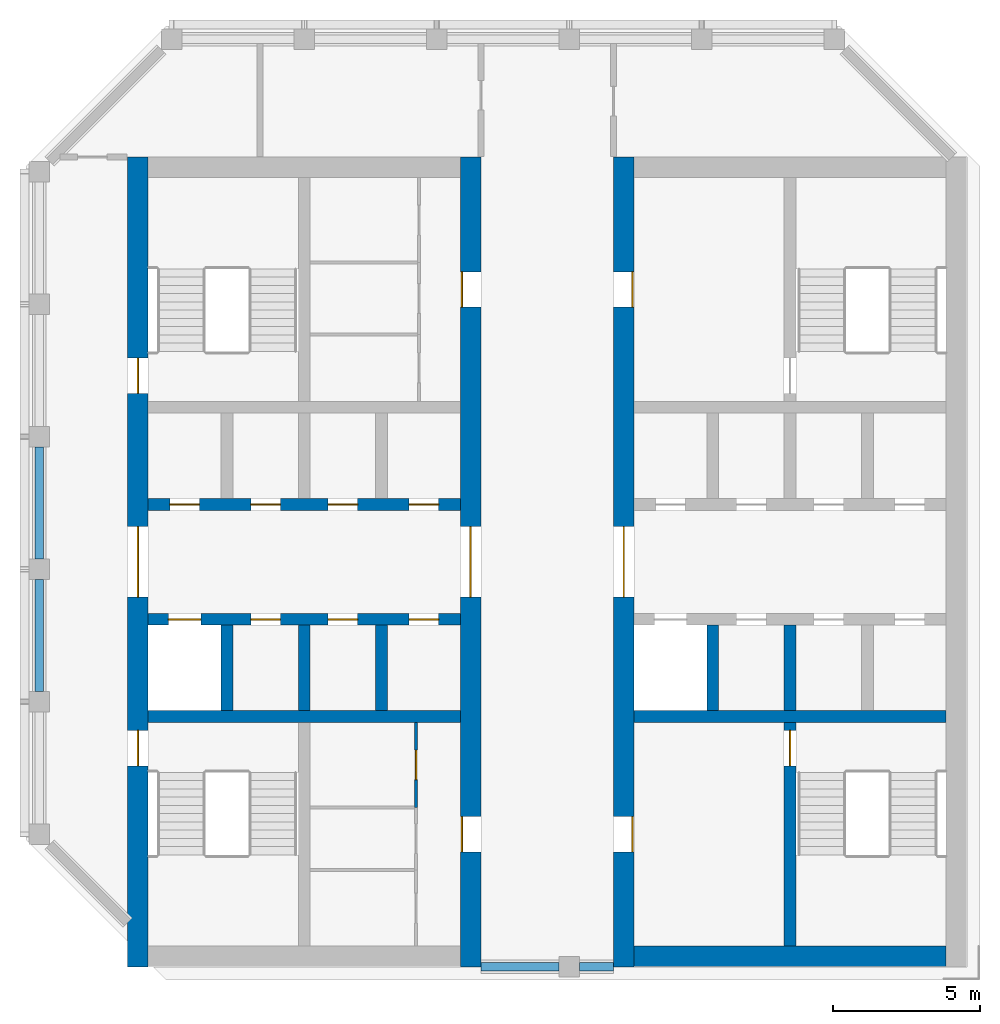
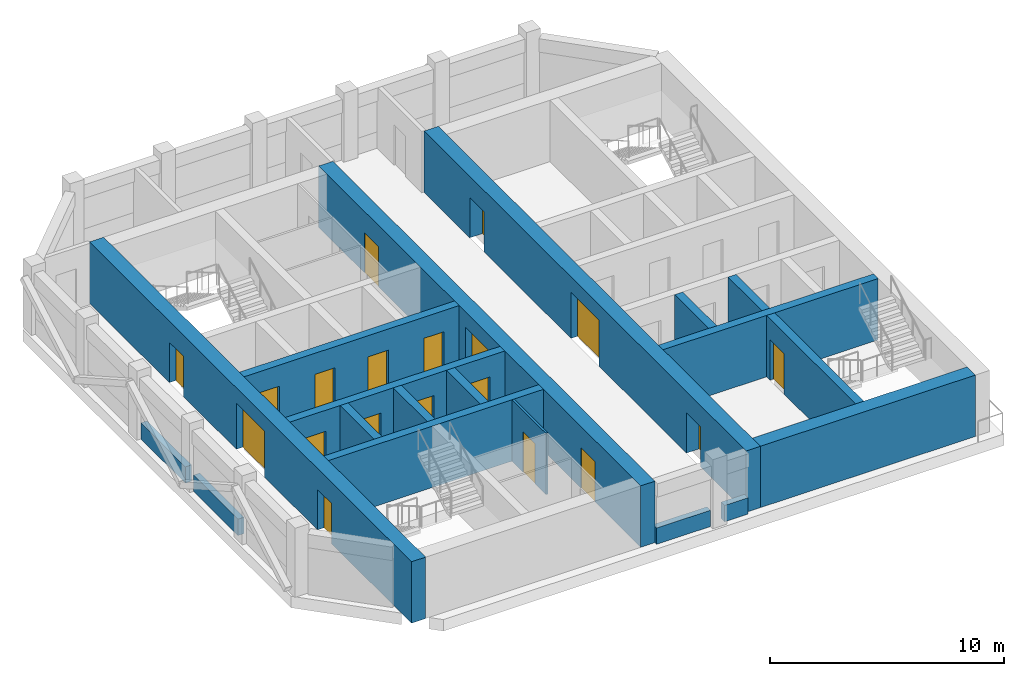
# One storey, part 2 of 5: 19 doors, 19 walls, 19 openings.
"""IFC4 building model written with IfcOpenShell, lengths in metres."""

from ifc_helpers import new_model, si_unit, direction, frame, frame_2d, origin, place, context, subcontext, project, spatial, rectangle, extrude, material, layer, layer_set, type_object, element, fill, save


model = new_model("IFC4")

# Units and contexts
model_context = context("Model", 3, precision=1e-05, world=origin(), true_north=direction((0.0, 1.0)))
body_context = subcontext(model_context, "Body", "Model", "MODEL_VIEW")
ifc_project = project(units=[si_unit("LENGTHUNIT", "METRE"), si_unit("AREAUNIT", "SQUARE_METRE"), si_unit("VOLUMEUNIT", "CUBIC_METRE"), si_unit("PLANEANGLEUNIT", "RADIAN"), si_unit("MASSUNIT", "GRAM", prefix="KILO")], contexts=[model_context])

# Site, building, storey
site_placement = place(None, origin())
site = spatial("IfcSite", under=ifc_project, at=site_placement, CompositionType="ELEMENT")
building_placement = place(site_placement, origin())
building = spatial("IfcBuilding", under=site, at=building_placement, Name="Corbel Stack Research Tower", CompositionType="ELEMENT")
storey_placement = place(building_placement, frame((0.0, 0.0, 326.199951171875)))
storey = spatial("IfcBuildingStorey", under=building, at=storey_placement, Name="L73", CompositionType="ELEMENT", Elevation=326.199951171875)

# Wall
ifc_material_1 = material(Name="Concrete C60/75", Category="concrete")
ifc_layer_1 = layer(ifc_material_1, 0.39990234375)
ifc_layer_set_1 = layer_set([ifc_layer_1], Name="Concrete C60/75")
wall_type_1 = type_object("IfcWallType", Name="CW-400-60", PredefinedType="SHEAR", material=ifc_layer_set_1)
wall_1_placement = place(storey_placement, frame((-9.800048828125, -0.5, 0.0), z_axis=(0.0, 0.0, 1.0), x_axis=(1.0, 0.0, 0.0)))
element("IfcWall", 1, at=wall_1_placement, inside=storey, type_object=wall_type_1, Name="West core wall, south row back L73", PredefinedType="SHEAR", context=body_context, shape_type="SweptSolid", body=[
    extrude(rectangle(XDim=10.60009765625, YDim=0.39990234375, at=frame_2d((5.300048828125, 0.0))), origin(), (0.0, 0.0, 1.0), 3.199951171875),
])

# Wall, openings, doors
wall_2_placement = place(storey_placement, frame((-9.800048828125, 2.800048828125, 0.0), z_axis=(0.0, 0.0, 1.0), x_axis=(1.0, 0.0, 0.0)))
wall_2 = element("IfcWall", 2, at=wall_2_placement, inside=storey, type_object=wall_type_1, Name="West core wall, lobby south L73", PredefinedType="SHEAR", context=body_context, shape_type="SweptSolid", body=[
    extrude(rectangle(XDim=10.60009765625, YDim=0.39990234375, at=frame_2d((5.300048828125, 0.0))), origin(), (0.0, 0.0, 1.0), 3.199951171875),
])
opening_1_placement = place(wall_2_placement, frame((0.6875, 0.0, 0.0)))
opening_1 = element("IfcOpeningElement", 3, at=opening_1_placement, cuts=wall_2, Name="Opening LD-FS1", PredefinedType="OPENING", context=body_context, shape_type="SweptSolid", body=[
    extrude(rectangle(XDim=1.10009765625, YDim=2.10009765625, at=frame_2d((0.550048828125, 1.050048828125))), frame((0.0, 0.2099609375, 0.0), z_axis=(0.0, -1.0, 0.0), x_axis=(1.0, 0.0, 0.0)), (0.0, 0.0, 1.0), 0.419921875),
])
opening_2_placement = place(wall_2_placement, frame((3.487548828125, 0.0, 0.0)))
opening_2 = element("IfcOpeningElement", 4, at=opening_2_placement, cuts=wall_2, Name="Opening CR-W12-S2", PredefinedType="OPENING", context=body_context, shape_type="SweptSolid", body=[
    extrude(rectangle(XDim=1.0, YDim=2.10009765625, at=frame_2d((0.5, 1.050048828125))), frame((0.0, 0.2099609375, 0.0), z_axis=(0.0, -1.0, 0.0), x_axis=(1.0, 0.0, 0.0)), (0.0, 0.0, 1.0), 0.419921875),
])
opening_3_placement = place(wall_2_placement, frame((6.112548828125, 0.0, 0.0)))
opening_3 = element("IfcOpeningElement", 5, at=opening_3_placement, cuts=wall_2, Name="Opening CR-W12-S3", PredefinedType="OPENING", context=body_context, shape_type="SweptSolid", body=[
    extrude(rectangle(XDim=1.0, YDim=2.10009765625, at=frame_2d((0.5, 1.050048828125))), frame((0.0, 0.2099609375, 0.0), z_axis=(0.0, -1.0, 0.0), x_axis=(1.0, 0.0, 0.0)), (0.0, 0.0, 1.0), 0.419921875),
])
opening_4_placement = place(wall_2_placement, frame((8.862548828125, 0.0, 0.0)))
opening_4 = element("IfcOpeningElement", 6, at=opening_4_placement, cuts=wall_2, Name="Opening CR-W12-S4", PredefinedType="OPENING", context=body_context, shape_type="SweptSolid", body=[
    extrude(rectangle(XDim=1.0, YDim=2.10009765625, at=frame_2d((0.5, 1.050048828125))), frame((0.0, 0.2099609375, 0.0), z_axis=(0.0, -1.0, 0.0), x_axis=(1.0, 0.0, 0.0)), (0.0, 0.0, 1.0), 0.419921875),
])
ifc_material_2 = material(Name="Stainless steel landing door", Category="steel")
door_type_1 = type_object("IfcDoorType", Name="Lift landing door 1100 x 2100", OperationType="DOUBLE_DOOR_SLIDING", PredefinedType="DOOR", material=ifc_material_2)
door_1_placement = place(opening_1_placement, origin())
door_1 = element("IfcDoor", 7, at=door_1_placement, inside=storey, type_object=door_type_1, Name="Landing door FS1", OperationType="DOUBLE_DOOR_SLIDING", OverallHeight=2.10009765625, OverallWidth=1.10009765625, PredefinedType="DOOR", context=body_context, shape_type="SweptSolid", body=[
    extrude(rectangle(XDim=1.10009765625, YDim=2.10009765625, at=frame_2d((0.550048828125, 1.050048828125))), frame((0.0, 0.02490234375, 0.0), z_axis=(0.0, -1.0, 0.0), x_axis=(1.0, 0.0, 0.0)), (0.0, 0.0, 1.0), 0.050048828125),
])
fill(opening_1, door_1)
ifc_material_3 = material(Name="Painted steel door", Category="steel")
door_type_2 = type_object("IfcDoorType", Name="Service door 1000 x 2100 FD60 left hand", OperationType="SINGLE_SWING_LEFT", PredefinedType="DOOR", material=ifc_material_3)
door_2_placement = place(opening_3_placement, origin())
door_2 = element("IfcDoor", 8, at=door_2_placement, inside=storey, type_object=door_type_2, Name="Telecom plant room door W core", OperationType="SINGLE_SWING_LEFT", OverallHeight=2.10009765625, OverallWidth=1.0, PredefinedType="DOOR", context=body_context, shape_type="SweptSolid", body=[
    extrude(rectangle(XDim=1.0, YDim=2.10009765625, at=frame_2d((0.5, 1.050048828125))), frame((0.0, 0.02490234375, 0.0), z_axis=(0.0, -1.0, 0.0), x_axis=(1.0, 0.0, 0.0)), (0.0, 0.0, 1.0), 0.050048828125),
])
fill(opening_3, door_2)
ifc_material_4 = material(Name="Painted steel door", Category="steel")
door_type_3 = type_object("IfcDoorType", Name="Service door 1000 x 2100 FD60 right hand", OperationType="SINGLE_SWING_RIGHT", PredefinedType="DOOR", material=ifc_material_4)
door_3_placement = place(opening_2_placement, origin())
door_3 = element("IfcDoor", 9, at=door_3_placement, inside=storey, type_object=door_type_3, Name="Electrical switch room door W core", OperationType="SINGLE_SWING_RIGHT", OverallHeight=2.10009765625, OverallWidth=1.0, PredefinedType="DOOR", context=body_context, shape_type="SweptSolid", body=[
    extrude(rectangle(XDim=1.0, YDim=2.10009765625, at=frame_2d((0.5, 1.050048828125))), frame((0.0, 0.02490234375, 0.0), z_axis=(0.0, -1.0, 0.0), x_axis=(1.0, 0.0, 0.0)), (0.0, 0.0, 1.0), 0.050048828125),
])
fill(opening_2, door_3)
door_4_placement = place(opening_4_placement, origin())
door_4 = element("IfcDoor", 10, at=door_4_placement, inside=storey, type_object=door_type_3, Name="Telecom plant room door W core", OperationType="SINGLE_SWING_RIGHT", OverallHeight=2.10009765625, OverallWidth=1.0, PredefinedType="DOOR", context=body_context, shape_type="SweptSolid", body=[
    extrude(rectangle(XDim=1.0, YDim=2.10009765625, at=frame_2d((0.5, 1.050048828125))), frame((0.0, 0.02490234375, 0.0), z_axis=(0.0, -1.0, 0.0), x_axis=(1.0, 0.0, 0.0)), (0.0, 0.0, 1.0), 0.050048828125),
])
fill(opening_4, door_4)

wall_3_placement = place(storey_placement, frame((-9.800048828125, 6.699951171875, 0.0), z_axis=(0.0, 0.0, 1.0), x_axis=(1.0, 0.0, 0.0)))
wall_3 = element("IfcWall", 11, at=wall_3_placement, inside=storey, type_object=wall_type_1, Name="West core wall, lobby north L73", PredefinedType="SHEAR", context=body_context, shape_type="SweptSolid", body=[
    extrude(rectangle(XDim=10.60009765625, YDim=0.39990234375, at=frame_2d((5.300048828125, 0.0))), origin(), (0.0, 0.0, 1.0), 3.199951171875),
])
opening_5_placement = place(wall_3_placement, frame((0.737548828125, 0.0, 0.0)))
opening_5 = element("IfcOpeningElement", 12, at=opening_5_placement, cuts=wall_3, Name="Opening CR-W12-N1", PredefinedType="OPENING", context=body_context, shape_type="SweptSolid", body=[
    extrude(rectangle(XDim=1.0, YDim=2.10009765625, at=frame_2d((0.5, 1.050048828125))), frame((0.0, 0.2099609375, 0.0), z_axis=(0.0, -1.0, 0.0), x_axis=(1.0, 0.0, 0.0)), (0.0, 0.0, 1.0), 0.419921875),
])
opening_6_placement = place(wall_3_placement, frame((3.487548828125, 0.0, 0.0)))
opening_6 = element("IfcOpeningElement", 13, at=opening_6_placement, cuts=wall_3, Name="Opening CR-W12-N2", PredefinedType="OPENING", context=body_context, shape_type="SweptSolid", body=[
    extrude(rectangle(XDim=1.0, YDim=2.10009765625, at=frame_2d((0.5, 1.050048828125))), frame((0.0, 0.2099609375, 0.0), z_axis=(0.0, -1.0, 0.0), x_axis=(1.0, 0.0, 0.0)), (0.0, 0.0, 1.0), 0.419921875),
])
opening_7_placement = place(wall_3_placement, frame((6.112548828125, 0.0, 0.0)))
opening_7 = element("IfcOpeningElement", 14, at=opening_7_placement, cuts=wall_3, Name="Opening CR-W12-N3", PredefinedType="OPENING", context=body_context, shape_type="SweptSolid", body=[
    extrude(rectangle(XDim=1.0, YDim=2.10009765625, at=frame_2d((0.5, 1.050048828125))), frame((0.0, 0.2099609375, 0.0), z_axis=(0.0, -1.0, 0.0), x_axis=(1.0, 0.0, 0.0)), (0.0, 0.0, 1.0), 0.419921875),
])
opening_8_placement = place(wall_3_placement, frame((8.862548828125, 0.0, 0.0)))
opening_8 = element("IfcOpeningElement", 15, at=opening_8_placement, cuts=wall_3, Name="Opening CR-W12-N4", PredefinedType="OPENING", context=body_context, shape_type="SweptSolid", body=[
    extrude(rectangle(XDim=1.0, YDim=2.10009765625, at=frame_2d((0.5, 1.050048828125))), frame((0.0, 0.2099609375, 0.0), z_axis=(0.0, -1.0, 0.0), x_axis=(1.0, 0.0, 0.0)), (0.0, 0.0, 1.0), 0.419921875),
])
door_5_placement = place(opening_5_placement, origin())
door_5 = element("IfcDoor", 16, at=door_5_placement, inside=storey, type_object=door_type_2, Name="Telecom plant room door W core", OperationType="SINGLE_SWING_LEFT", OverallHeight=2.10009765625, OverallWidth=1.0, PredefinedType="DOOR", context=body_context, shape_type="SweptSolid", body=[
    extrude(rectangle(XDim=1.0, YDim=2.10009765625, at=frame_2d((0.5, 1.050048828125))), frame((0.0, 0.02490234375, 0.0), z_axis=(0.0, -1.0, 0.0), x_axis=(1.0, 0.0, 0.0)), (0.0, 0.0, 1.0), 0.050048828125),
])
fill(opening_5, door_5)
door_6_placement = place(opening_7_placement, origin())
door_6 = element("IfcDoor", 17, at=door_6_placement, inside=storey, type_object=door_type_2, Name="Mechanical room door W core", OperationType="SINGLE_SWING_LEFT", OverallHeight=2.10009765625, OverallWidth=1.0, PredefinedType="DOOR", context=body_context, shape_type="SweptSolid", body=[
    extrude(rectangle(XDim=1.0, YDim=2.10009765625, at=frame_2d((0.5, 1.050048828125))), frame((0.0, 0.02490234375, 0.0), z_axis=(0.0, -1.0, 0.0), x_axis=(1.0, 0.0, 0.0)), (0.0, 0.0, 1.0), 0.050048828125),
])
fill(opening_7, door_6)
door_7_placement = place(opening_6_placement, origin())
door_7 = element("IfcDoor", 18, at=door_7_placement, inside=storey, type_object=door_type_3, Name="Mechanical room door W core", OperationType="SINGLE_SWING_RIGHT", OverallHeight=2.10009765625, OverallWidth=1.0, PredefinedType="DOOR", context=body_context, shape_type="SweptSolid", body=[
    extrude(rectangle(XDim=1.0, YDim=2.10009765625, at=frame_2d((0.5, 1.050048828125))), frame((0.0, 0.02490234375, 0.0), z_axis=(0.0, -1.0, 0.0), x_axis=(1.0, 0.0, 0.0)), (0.0, 0.0, 1.0), 0.050048828125),
])
fill(opening_6, door_7)
door_8_placement = place(opening_8_placement, origin())
door_8 = element("IfcDoor", 19, at=door_8_placement, inside=storey, type_object=door_type_3, Name="Mechanical room door W core", OperationType="SINGLE_SWING_RIGHT", OverallHeight=2.10009765625, OverallWidth=1.0, PredefinedType="DOOR", context=body_context, shape_type="SweptSolid", body=[
    extrude(rectangle(XDim=1.0, YDim=2.10009765625, at=frame_2d((0.5, 1.050048828125))), frame((0.0, 0.02490234375, 0.0), z_axis=(0.0, -1.0, 0.0), x_axis=(1.0, 0.0, 0.0)), (0.0, 0.0, 1.0), 0.050048828125),
])
fill(opening_8, door_8)

# Walls
for number, where, z_axis, x_axis, name in (
    (20, (-7.125, -0.300048828125, 0.0), (0.0, 0.0, 1.0), (0.0, 1.0, 0.0), "West core wall, south shaft 1 L73"),
    (21, (-4.5, -0.300048828125, 0.0), (0.0, 0.0, 1.0), (0.0, 1.0, 0.0), "West core wall, south shaft 2 L73"),
    (22, (-1.875, -0.300048828125, 0.0), (0.0, 0.0, 1.0), (0.0, 1.0, 0.0), "West core wall, south shaft 3 L73"),
):
    element("IfcWall", number, at=place(storey_placement, frame(where, z_axis=z_axis, x_axis=x_axis)), inside=storey, type_object=wall_type_1, Name=name, PredefinedType="SHEAR", context=body_context, shape_type="SweptSolid", body=[
        extrude(rectangle(XDim=2.900146484375, YDim=0.39990234375, at=frame_2d((1.4501953125, 0.0))), origin(), (0.0, 0.0, 1.0), 3.199951171875),
    ])
wall_4_placement = place(storey_placement, frame((6.699951171875, -0.5, 0.0), z_axis=(0.0, 0.0, 1.0), x_axis=(1.0, 0.0, 0.0)))
element("IfcWall", 23, at=wall_4_placement, inside=storey, type_object=wall_type_1, Name="East core wall, south row back L73", PredefinedType="SHEAR", context=body_context, shape_type="SweptSolid", body=[
    extrude(rectangle(XDim=10.60009765625, YDim=0.39990234375, at=frame_2d((5.300048828125, 0.0))), origin(), (0.0, 0.0, 1.0), 3.199951171875),
])
for number, where, z_axis, x_axis, name in (
    (24, (9.375, -0.300048828125, 0.0), (0.0, 0.0, 1.0), (0.0, 1.0, 0.0), "East core wall, south shaft 1 L73"),
    (25, (12.0, -0.300048828125, 0.0), (0.0, 0.0, 1.0), (0.0, 1.0, 0.0), "East core wall, south shaft 2 L73"),
):
    element("IfcWall", number, at=place(storey_placement, frame(where, z_axis=z_axis, x_axis=x_axis)), inside=storey, type_object=wall_type_1, Name=name, PredefinedType="SHEAR", context=body_context, shape_type="SweptSolid", body=[
        extrude(rectangle(XDim=2.900146484375, YDim=0.39990234375, at=frame_2d((1.4501953125, 0.0))), origin(), (0.0, 0.0, 1.0), 3.199951171875),
    ])

# Wall, opening, door
wall_5_placement = place(storey_placement, frame((12.0, -8.300048828125, 0.0), z_axis=(0.0, 0.0, 1.0), x_axis=(0.0, 1.0, 0.0)))
wall_5 = element("IfcWall", 26, at=wall_5_placement, inside=storey, type_object=wall_type_1, Name="East core wall, south stair and WC L73", PredefinedType="SHEAR", context=body_context, shape_type="SweptSolid", body=[
    extrude(rectangle(XDim=7.60009765625, YDim=0.39990234375, at=frame_2d((3.800048828125, 0.0))), origin(), (0.0, 0.0, 1.0), 3.199951171875),
])
opening_9_placement = place(wall_5_placement, frame((6.125, 0.0, 0.0)))
opening_9 = element("IfcOpeningElement", 27, at=opening_9_placement, cuts=wall_5, Name="Opening SD-ST-E1", PredefinedType="OPENING", context=body_context, shape_type="SweptSolid", body=[
    extrude(rectangle(XDim=1.199951171875, YDim=2.10009765625, at=frame_2d((0.60009765625, 1.050048828125))), frame((0.0, 0.2099609375, 0.0), z_axis=(0.0, -1.0, 0.0), x_axis=(1.0, 0.0, 0.0)), (0.0, 0.0, 1.0), 0.419921875),
])
ifc_material_5 = material(Name="Painted steel fire door", Category="steel")
door_type_4 = type_object("IfcDoorType", Name="Stair door 1200 x 2100 FD90 right hand", OperationType="SINGLE_SWING_RIGHT", PredefinedType="DOOR", material=ifc_material_5)
door_9_placement = place(opening_9_placement, origin())
door_9 = element("IfcDoor", 28, at=door_9_placement, inside=storey, type_object=door_type_4, Name="Stair door ST-E1", OperationType="SINGLE_SWING_RIGHT", OverallHeight=2.10009765625, OverallWidth=1.199951171875, PredefinedType="DOOR", context=body_context, shape_type="SweptSolid", body=[
    extrude(rectangle(XDim=1.199951171875, YDim=2.10009765625, at=frame_2d((0.60009765625, 1.050048828125))), frame((0.0, 0.02490234375, 0.0), z_axis=(0.0, -1.0, 0.0), x_axis=(1.0, 0.0, 0.0)), (0.0, 0.0, 1.0), 0.050048828125),
])
fill(opening_9, door_9)

# Wall, openings, doors
ifc_material_6 = material(Name="Concrete C60/75", Category="concrete")
ifc_layer_2 = layer(ifc_material_6, 0.699951171875)
ifc_layer_set_2 = layer_set([ifc_layer_2], Name="Concrete C60/75")
wall_type_2 = type_object("IfcWallType", Name="CW-700-60", PredefinedType="SHEAR", material=ifc_layer_set_2)
wall_6_placement = place(storey_placement, frame((-10.14990234375, -9.0, 0.0), z_axis=(0.0, 0.0, 1.0), x_axis=(0.0, 1.0, 0.0)))
wall_6 = element("IfcWall", 29, at=wall_6_placement, inside=storey, type_object=wall_type_2, Name="West core wall, west face L73", PredefinedType="SHEAR", context=body_context, shape_type="SweptSolid", body=[
    extrude(rectangle(XDim=27.5, YDim=0.699951171875, at=frame_2d((13.75, 0.0))), origin(), (0.0, 0.0, 1.0), 3.199951171875),
])
opening_10_placement = place(wall_6_placement, frame((12.550048828125, 0.0, 0.0)))
opening_10 = element("IfcOpeningElement", 30, at=opening_10_placement, cuts=wall_6, Name="Opening CD-W-W", PredefinedType="OPENING", context=body_context, shape_type="SweptSolid", body=[
    extrude(rectangle(XDim=2.39990234375, YDim=2.39990234375, at=frame_2d((1.199951171875, 1.199951171875))), frame((0.0, 0.35986328125, 0.0), z_axis=(0.0, -1.0, 0.0), x_axis=(1.0, 0.0, 0.0)), (0.0, 0.0, 1.0), 0.719970703125),
])
opening_11_placement = place(wall_6_placement, frame((6.824951171875, 0.0, 0.0)))
opening_11 = element("IfcOpeningElement", 31, at=opening_11_placement, cuts=wall_6, Name="Opening SD-ST-W1", PredefinedType="OPENING", context=body_context, shape_type="SweptSolid", body=[
    extrude(rectangle(XDim=1.199951171875, YDim=2.10009765625, at=frame_2d((0.60009765625, 1.050048828125))), frame((0.0, 0.35986328125, 0.0), z_axis=(0.0, -1.0, 0.0), x_axis=(1.0, 0.0, 0.0)), (0.0, 0.0, 1.0), 0.719970703125),
])
opening_12_placement = place(wall_6_placement, frame((19.47509765625, 0.0, 0.0)))
opening_12 = element("IfcOpeningElement", 32, at=opening_12_placement, cuts=wall_6, Name="Opening SD-ST-W2", PredefinedType="OPENING", context=body_context, shape_type="SweptSolid", body=[
    extrude(rectangle(XDim=1.199951171875, YDim=2.10009765625, at=frame_2d((0.60009765625, 1.050048828125))), frame((0.0, 0.35986328125, 0.0), z_axis=(0.0, -1.0, 0.0), x_axis=(1.0, 0.0, 0.0)), (0.0, 0.0, 1.0), 0.719970703125),
])
ifc_material_7 = material(Name="Painted steel fire door", Category="steel")
door_type_5 = type_object("IfcDoorType", Name="Lobby door pair 2400 x 2400 FD30S", OperationType="DOUBLE_DOOR_DOUBLE_SWING", PredefinedType="DOOR", material=ifc_material_7)
door_10_placement = place(opening_10_placement, origin())
door_10 = element("IfcDoor", 33, at=door_10_placement, inside=storey, type_object=door_type_5, Name="Lift lobby door W core W", OperationType="DOUBLE_DOOR_DOUBLE_SWING", OverallHeight=2.39990234375, OverallWidth=2.39990234375, PredefinedType="DOOR", context=body_context, shape_type="SweptSolid", body=[
    extrude(rectangle(XDim=2.39990234375, YDim=2.39990234375, at=frame_2d((1.199951171875, 1.199951171875))), frame((0.0, 0.02490234375, 0.0), z_axis=(0.0, -1.0, 0.0), x_axis=(1.0, 0.0, 0.0)), (0.0, 0.0, 1.0), 0.050048828125),
])
fill(opening_10, door_10)
ifc_material_8 = material(Name="Painted steel fire door", Category="steel")
door_type_6 = type_object("IfcDoorType", Name="Stair door 1200 x 2100 FD90 left hand", OperationType="SINGLE_SWING_LEFT", PredefinedType="DOOR", material=ifc_material_8)
door_11_placement = place(opening_11_placement, origin())
door_11 = element("IfcDoor", 34, at=door_11_placement, inside=storey, type_object=door_type_6, Name="Stair door ST-W1", OperationType="SINGLE_SWING_LEFT", OverallHeight=2.10009765625, OverallWidth=1.199951171875, PredefinedType="DOOR", context=body_context, shape_type="SweptSolid", body=[
    extrude(rectangle(XDim=1.199951171875, YDim=2.10009765625, at=frame_2d((0.60009765625, 1.050048828125))), frame((0.0, 0.02490234375, 0.0), z_axis=(0.0, -1.0, 0.0), x_axis=(1.0, 0.0, 0.0)), (0.0, 0.0, 1.0), 0.050048828125),
])
fill(opening_11, door_11)
door_12_placement = place(opening_12_placement, origin())
door_12 = element("IfcDoor", 35, at=door_12_placement, inside=storey, type_object=door_type_6, Name="Stair door ST-W2", OperationType="SINGLE_SWING_LEFT", OverallHeight=2.10009765625, OverallWidth=1.199951171875, PredefinedType="DOOR", context=body_context, shape_type="SweptSolid", body=[
    extrude(rectangle(XDim=1.199951171875, YDim=2.10009765625, at=frame_2d((0.60009765625, 1.050048828125))), frame((0.0, 0.02490234375, 0.0), z_axis=(0.0, -1.0, 0.0), x_axis=(1.0, 0.0, 0.0)), (0.0, 0.0, 1.0), 0.050048828125),
])
fill(opening_12, door_12)

wall_7_placement = place(storey_placement, frame((1.14990234375, -9.0, 0.0), z_axis=(0.0, 0.0, 1.0), x_axis=(0.0, 1.0, 0.0)))
wall_7 = element("IfcWall", 36, at=wall_7_placement, inside=storey, type_object=wall_type_2, Name="West core wall, east face L73", PredefinedType="SHEAR", context=body_context, shape_type="SweptSolid", body=[
    extrude(rectangle(XDim=27.5, YDim=0.699951171875, at=frame_2d((13.75, 0.0))), origin(), (0.0, 0.0, 1.0), 3.199951171875),
])
opening_13_placement = place(wall_7_placement, frame((12.550048828125, 0.0, 0.0)))
opening_13 = element("IfcOpeningElement", 37, at=opening_13_placement, cuts=wall_7, Name="Opening CD-W-E", PredefinedType="OPENING", context=body_context, shape_type="SweptSolid", body=[
    extrude(rectangle(XDim=2.39990234375, YDim=2.39990234375, at=frame_2d((1.199951171875, 1.199951171875))), frame((0.0, 0.35986328125, 0.0), z_axis=(0.0, -1.0, 0.0), x_axis=(1.0, 0.0, 0.0)), (0.0, 0.0, 1.0), 0.719970703125),
])
opening_14_placement = place(wall_7_placement, frame((3.89990234375, 0.0, 0.0)))
opening_14 = element("IfcOpeningElement", 38, at=opening_14_placement, cuts=wall_7, Name="Opening CR-W12-W1-1200", PredefinedType="OPENING", context=body_context, shape_type="SweptSolid", body=[
    extrude(rectangle(XDim=1.199951171875, YDim=2.10009765625, at=frame_2d((0.60009765625, 1.050048828125))), frame((0.0, 0.35986328125, 0.0), z_axis=(0.0, -1.0, 0.0), x_axis=(1.0, 0.0, 0.0)), (0.0, 0.0, 1.0), 0.719970703125),
])
opening_15_placement = place(wall_7_placement, frame((22.39990234375, 0.0, 0.0)))
opening_15 = element("IfcOpeningElement", 39, at=opening_15_placement, cuts=wall_7, Name="Opening CR-W12-R1-1200", PredefinedType="OPENING", context=body_context, shape_type="SweptSolid", body=[
    extrude(rectangle(XDim=1.199951171875, YDim=2.10009765625, at=frame_2d((0.60009765625, 1.050048828125))), frame((0.0, 0.35986328125, 0.0), z_axis=(0.0, -1.0, 0.0), x_axis=(1.0, 0.0, 0.0)), (0.0, 0.0, 1.0), 0.719970703125),
])
door_13_placement = place(opening_13_placement, origin())
door_13 = element("IfcDoor", 40, at=door_13_placement, inside=storey, type_object=door_type_5, Name="Lift lobby door W core E", OperationType="DOUBLE_DOOR_DOUBLE_SWING", OverallHeight=2.39990234375, OverallWidth=2.39990234375, PredefinedType="DOOR", context=body_context, shape_type="SweptSolid", body=[
    extrude(rectangle(XDim=2.39990234375, YDim=2.39990234375, at=frame_2d((1.199951171875, 1.199951171875))), frame((0.0, 0.02490234375, 0.0), z_axis=(0.0, -1.0, 0.0), x_axis=(1.0, 0.0, 0.0)), (0.0, 0.0, 1.0), 0.050048828125),
])
fill(opening_13, door_13)
ifc_material_9 = material(Name="Painted steel door", Category="steel")
door_type_7 = type_object("IfcDoorType", Name="Service door 1200 x 2100 FD30 left hand", OperationType="SINGLE_SWING_LEFT", PredefinedType="DOOR", material=ifc_material_9)
door_14_placement = place(opening_15_placement, origin())
door_14 = element("IfcDoor", 41, at=door_14_placement, inside=storey, type_object=door_type_7, Name="Plant passage door W core", OperationType="SINGLE_SWING_LEFT", OverallHeight=2.10009765625, OverallWidth=1.199951171875, PredefinedType="DOOR", context=body_context, shape_type="SweptSolid", body=[
    extrude(rectangle(XDim=1.199951171875, YDim=2.10009765625, at=frame_2d((0.60009765625, 1.050048828125))), frame((0.0, 0.3251953125, 0.0), z_axis=(0.0, -1.0, 0.0), x_axis=(1.0, 0.0, 0.0)), (0.0, 0.0, 1.0), 0.050048828125),
])
fill(opening_15, door_14)
ifc_material_10 = material(Name="Painted timber door", Category="wood")
door_type_8 = type_object("IfcDoorType", Name="WC door 1200 x 2100 left hand", OperationType="SINGLE_SWING_LEFT", PredefinedType="DOOR", material=ifc_material_10)
door_15_placement = place(opening_14_placement, origin())
door_15 = element("IfcDoor", 42, at=door_15_placement, inside=storey, type_object=door_type_8, Name="WC lobby door W core", OperationType="SINGLE_SWING_LEFT", OverallHeight=2.10009765625, OverallWidth=1.199951171875, PredefinedType="DOOR", context=body_context, shape_type="SweptSolid", body=[
    extrude(rectangle(XDim=1.199951171875, YDim=2.10009765625, at=frame_2d((0.60009765625, 1.050048828125))), frame((0.0, 0.3251953125, 0.0), z_axis=(0.0, -1.0, 0.0), x_axis=(1.0, 0.0, 0.0)), (0.0, 0.0, 1.0), 0.050048828125),
])
fill(opening_14, door_15)

wall_8_placement = place(storey_placement, frame((6.35009765625, -9.0, 0.0), z_axis=(0.0, 0.0, 1.0), x_axis=(0.0, 1.0, 0.0)))
wall_8 = element("IfcWall", 43, at=wall_8_placement, inside=storey, type_object=wall_type_2, Name="East core wall, west face L73", PredefinedType="SHEAR", context=body_context, shape_type="SweptSolid", body=[
    extrude(rectangle(XDim=27.5, YDim=0.699951171875, at=frame_2d((13.75, 0.0))), origin(), (0.0, 0.0, 1.0), 3.199951171875),
])
opening_16_placement = place(wall_8_placement, frame((12.550048828125, 0.0, 0.0)))
opening_16 = element("IfcOpeningElement", 44, at=opening_16_placement, cuts=wall_8, Name="Opening CD-E-W", PredefinedType="OPENING", context=body_context, shape_type="SweptSolid", body=[
    extrude(rectangle(XDim=2.39990234375, YDim=2.39990234375, at=frame_2d((1.199951171875, 1.199951171875))), frame((0.0, 0.35986328125, 0.0), z_axis=(0.0, -1.0, 0.0), x_axis=(1.0, 0.0, 0.0)), (0.0, 0.0, 1.0), 0.719970703125),
])
opening_17_placement = place(wall_8_placement, frame((3.89990234375, 0.0, 0.0)))
opening_17 = element("IfcOpeningElement", 45, at=opening_17_placement, cuts=wall_8, Name="Opening CR-E12v-W1-1200", PredefinedType="OPENING", context=body_context, shape_type="SweptSolid", body=[
    extrude(rectangle(XDim=1.199951171875, YDim=2.10009765625, at=frame_2d((0.60009765625, 1.050048828125))), frame((0.0, 0.35986328125, 0.0), z_axis=(0.0, -1.0, 0.0), x_axis=(1.0, 0.0, 0.0)), (0.0, 0.0, 1.0), 0.719970703125),
])
opening_18_placement = place(wall_8_placement, frame((22.39990234375, 0.0, 0.0)))
opening_18 = element("IfcOpeningElement", 46, at=opening_18_placement, cuts=wall_8, Name="Opening CR-E12v-R1-1200", PredefinedType="OPENING", context=body_context, shape_type="SweptSolid", body=[
    extrude(rectangle(XDim=1.199951171875, YDim=2.10009765625, at=frame_2d((0.60009765625, 1.050048828125))), frame((0.0, 0.35986328125, 0.0), z_axis=(0.0, -1.0, 0.0), x_axis=(1.0, 0.0, 0.0)), (0.0, 0.0, 1.0), 0.719970703125),
])
door_16_placement = place(opening_16_placement, origin())
door_16 = element("IfcDoor", 47, at=door_16_placement, inside=storey, type_object=door_type_5, Name="Lift lobby door E core W", OperationType="DOUBLE_DOOR_DOUBLE_SWING", OverallHeight=2.39990234375, OverallWidth=2.39990234375, PredefinedType="DOOR", context=body_context, shape_type="SweptSolid", body=[
    extrude(rectangle(XDim=2.39990234375, YDim=2.39990234375, at=frame_2d((1.199951171875, 1.199951171875))), frame((0.0, 0.02490234375, 0.0), z_axis=(0.0, -1.0, 0.0), x_axis=(1.0, 0.0, 0.0)), (0.0, 0.0, 1.0), 0.050048828125),
])
fill(opening_16, door_16)
ifc_material_11 = material(Name="Painted steel door", Category="steel")
door_type_9 = type_object("IfcDoorType", Name="Service door 1200 x 2100 FD60 right hand", OperationType="SINGLE_SWING_RIGHT", PredefinedType="DOOR", material=ifc_material_11)
door_17_placement = place(opening_17_placement, origin())
door_17 = element("IfcDoor", 48, at=door_17_placement, inside=storey, type_object=door_type_9, Name="Stair vestibule door E core", OperationType="SINGLE_SWING_RIGHT", OverallHeight=2.10009765625, OverallWidth=1.199951171875, PredefinedType="DOOR", context=body_context, shape_type="SweptSolid", body=[
    extrude(rectangle(XDim=1.199951171875, YDim=2.10009765625, at=frame_2d((0.60009765625, 1.050048828125))), frame((0.0, -0.27490234375, 0.0), z_axis=(0.0, -1.0, 0.0), x_axis=(1.0, 0.0, 0.0)), (0.0, 0.0, 1.0), 0.050048828125),
])
fill(opening_17, door_17)
door_18_placement = place(opening_18_placement, origin())
door_18 = element("IfcDoor", 49, at=door_18_placement, inside=storey, type_object=door_type_9, Name="Stair vestibule door E core", OperationType="SINGLE_SWING_RIGHT", OverallHeight=2.10009765625, OverallWidth=1.199951171875, PredefinedType="DOOR", context=body_context, shape_type="SweptSolid", body=[
    extrude(rectangle(XDim=1.199951171875, YDim=2.10009765625, at=frame_2d((0.60009765625, 1.050048828125))), frame((0.0, -0.27490234375, 0.0), z_axis=(0.0, -1.0, 0.0), x_axis=(1.0, 0.0, 0.0)), (0.0, 0.0, 1.0), 0.050048828125),
])
fill(opening_18, door_18)

# Wall
wall_9_placement = place(storey_placement, frame((6.699951171875, -8.64990234375, 0.0), z_axis=(0.0, 0.0, 1.0), x_axis=(1.0, 0.0, 0.0)))
element("IfcWall", 50, at=wall_9_placement, inside=storey, type_object=wall_type_2, Name="East core wall, south end L73", PredefinedType="SHEAR", context=body_context, shape_type="SweptSolid", body=[
    extrude(rectangle(XDim=10.60009765625, YDim=0.699951171875, at=frame_2d((5.300048828125, 0.0))), origin(), (0.0, 0.0, 1.0), 3.199951171875),
])

# Wall, opening, door
ifc_material_12 = material(Name="Gypsum board")
ifc_layer_3 = layer(ifc_material_12, 0.10009765625)
ifc_layer_set_3 = layer_set([ifc_layer_3], Name="Gypsum board")
wall_type_3 = type_object("IfcWallType", Name="Core partition 100", PredefinedType="PARTITIONING", material=ifc_layer_set_3)
wall_10_placement = place(storey_placement, frame((-0.699951171875, -3.587890625, 0.0), z_axis=(0.0, 0.0, 1.0), x_axis=(0.0, 1.0, 0.0)))
wall_10 = element("IfcWall", 51, at=wall_10_placement, inside=storey, type_object=wall_type_3, Name="Core partition W", PredefinedType="PARTITIONING", context=body_context, shape_type="SweptSolid", body=[
    extrude(rectangle(XDim=2.887939453125, YDim=0.10009765625, at=frame_2d((1.44384765625, 0.0))), origin(), (0.0, 0.0, 1.0), 3.199951171875),
])
opening_19_placement = place(wall_10_placement, frame((0.944091796875, 0.0, 0.0)))
opening_19 = element("IfcOpeningElement", 52, at=opening_19_placement, cuts=wall_10, Name="Opening CR-W12-W4-1000", PredefinedType="OPENING", context=body_context, shape_type="SweptSolid", body=[
    extrude(rectangle(XDim=1.0, YDim=2.10009765625, at=frame_2d((0.5, 1.050048828125))), frame((0.0, 0.06005859375, 0.0), z_axis=(0.0, -1.0, 0.0), x_axis=(1.0, 0.0, 0.0)), (0.0, 0.0, 1.0), 0.1201171875),
])
ifc_material_13 = material(Name="Painted timber door", Category="wood")
door_type_10 = type_object("IfcDoorType", Name="WC door 1000 x 2100 right hand", OperationType="SINGLE_SWING_RIGHT", PredefinedType="DOOR", material=ifc_material_13)
door_19_placement = place(opening_19_placement, origin())
door_19 = element("IfcDoor", 53, at=door_19_placement, inside=storey, type_object=door_type_10, Name="Women's WC door W core", OperationType="SINGLE_SWING_RIGHT", OverallHeight=2.10009765625, OverallWidth=1.0, PredefinedType="DOOR", context=body_context, shape_type="SweptSolid", body=[
    extrude(rectangle(XDim=1.0, YDim=2.10009765625, at=frame_2d((0.5, 1.050048828125))), frame((0.0, 0.02490234375, 0.0), z_axis=(0.0, -1.0, 0.0), x_axis=(1.0, 0.0, 0.0)), (0.0, 0.0, 1.0), 0.050048828125),
])
fill(opening_19, door_19)

# Walls
ifc_material_14 = material(Name="Concrete C45/55", Category="concrete")
ifc_layer_4 = layer(ifc_material_14, 0.300048828125)
ifc_layer_set_4 = layer_set([ifc_layer_4], Name="Concrete C45/55")
wall_type_4 = type_object("IfcWallType", Name="Precast plant wall 300 C45/55", PredefinedType="SOLIDWALL", material=ifc_layer_set_4)
wall_11_placement = place(storey_placement, frame((1.5, -9.0, 0.0), z_axis=(0.0, 0.0, 1.0), x_axis=(1.0, 0.0, 0.0)))
element("IfcWall", 54, at=wall_11_placement, inside=storey, type_object=wall_type_4, Name="Plant wall base L73-01", PredefinedType="SOLIDWALL", context=body_context, shape_type="SweptSolid", body=[
    extrude(rectangle(XDim=2.64990234375, YDim=0.300048828125, at=frame_2d((1.324951171875, 0.0))), origin(), (0.0, 0.0, 1.0), 0.85009765625),
])
wall_12_placement = place(storey_placement, frame((4.85009765625, -9.0, 0.0), z_axis=(0.0, 0.0, 1.0), x_axis=(1.0, 0.0, 0.0)))
element("IfcWall", 55, at=wall_12_placement, inside=storey, type_object=wall_type_4, Name="Plant wall base L73-02", PredefinedType="SOLIDWALL", context=body_context, shape_type="SweptSolid", body=[
    extrude(rectangle(XDim=1.14990234375, YDim=0.300048828125, at=frame_2d((0.574951171875, 0.0))), origin(), (0.0, 0.0, 1.0), 0.85009765625),
])
for number, where, z_axis, x_axis, name in (
    (56, (-13.5, 8.64990234375, 0.0), (0.0, 0.0, 1.0), (0.0, -1.0, 0.0), "Plant wall base L73-12"),
    (57, (-13.5, 4.14990234375, 0.0), (0.0, 0.0, 1.0), (0.0, -1.0, 0.0), "Plant wall base L73-13"),
):
    element("IfcWall", number, at=place(storey_placement, frame(where, z_axis=z_axis, x_axis=x_axis)), inside=storey, type_object=wall_type_4, Name=name, PredefinedType="SOLIDWALL", context=body_context, shape_type="SweptSolid", body=[
        extrude(rectangle(XDim=3.7998046875, YDim=0.300048828125, at=frame_2d((1.89990234375, 0.0))), origin(), (0.0, 0.0, 1.0), 0.85009765625),
    ])

save(model, "model.ifc")
